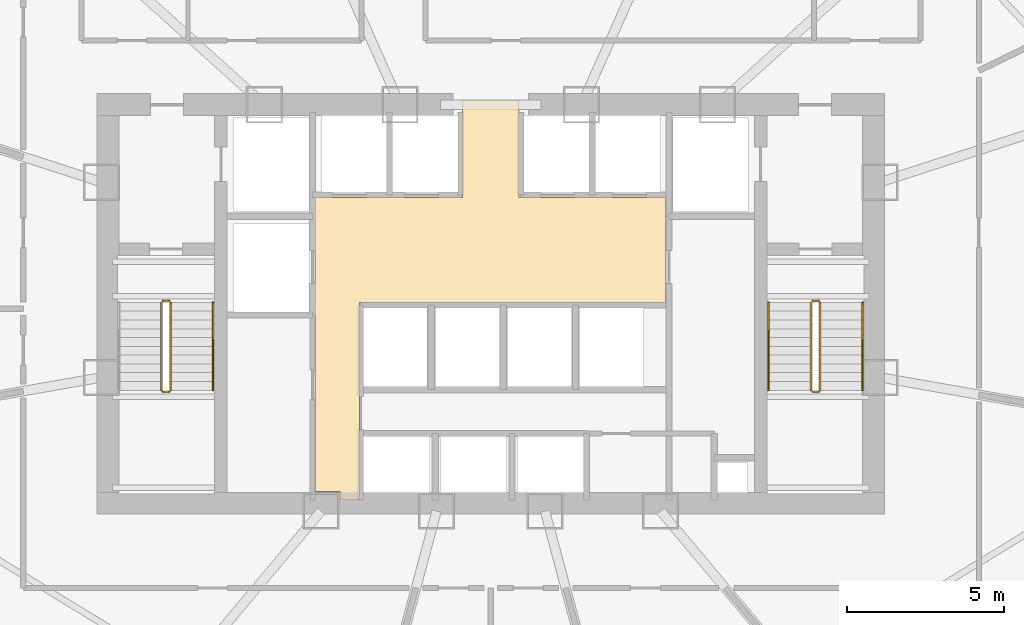
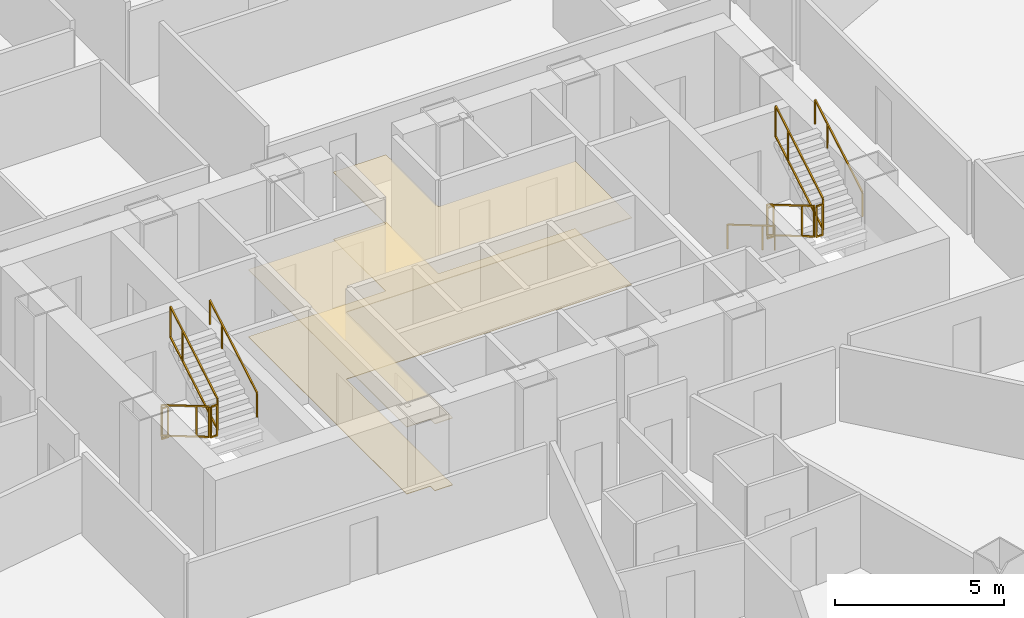
# One storey, part 36 of 38: 11 railings, 2 coverings.
"""IFC4 building model written with IfcOpenShell, lengths in metres."""

from ifc_helpers import new_model, si_unit, direction, frame, origin, origin_2d, place, context, subcontext, project, spatial, polyline, rectangle, outline, extrude, material, layer, layer_set, type_object, element, save


model = new_model("IFC4")

# Units and contexts
model_context = context("Model", 3, precision=1e-05, world=origin(), true_north=direction((0.0, 1.0)))
body_context = subcontext(model_context, "Body", "Model", "MODEL_VIEW")
ifc_project = project(units=[si_unit("LENGTHUNIT", "METRE"), si_unit("AREAUNIT", "SQUARE_METRE"), si_unit("VOLUMEUNIT", "CUBIC_METRE"), si_unit("PLANEANGLEUNIT", "RADIAN"), si_unit("MASSUNIT", "GRAM", prefix="KILO"), si_unit("THERMODYNAMICTEMPERATUREUNIT", "KELVIN"), si_unit("POWERUNIT", "WATT")], contexts=[model_context])

# Site, building, storey
site_placement = place(None, origin())
site = spatial("IfcSite", under=ifc_project, at=site_placement, CompositionType="ELEMENT")
building_placement = place(site_placement, origin())
building = spatial("IfcBuilding", under=site, at=building_placement, Name="Yunzhuo Pagoda Commons", CompositionType="ELEMENT")
storey_placement = place(building_placement, frame((0.0, 0.0, 37.659912109375)))
storey = spatial("IfcBuildingStorey", under=building, at=storey_placement, Name="L09", CompositionType="ELEMENT", Elevation=37.659912109375)

# Coverings
ifc_material_1 = material(Name="Mineral fibre acoustic ceiling board")
ifc_layer_1 = layer(ifc_material_1, 0.02490234375)
ifc_layer_set_1 = layer_set([ifc_layer_1], Name="Mineral fibre acoustic ceiling board")
covering_type_1 = type_object("IfcCoveringType", Name="COV-CL1 Ceiling 25", PredefinedType="CEILING", material=ifc_layer_set_1)
covering_1_placement = place(storey_placement, frame((0.0, 0.0, 2.420166015625)))
element("IfcCovering", 1, at=covering_1_placement, inside=storey, type_object=covering_type_1, Name="L09 lift lobby acoustic ceiling", PredefinedType="CEILING", context=body_context, shape_type="SweptSolid", body=[
    extrude(outline(polyline([(43.207763671875, 27.85009765625), (43.201904296875, 27.864013671875), (43.187744140625, 27.8701171875), (42.39990234375, 27.8701171875), (42.39990234375, 33.89990234375), (42.39990234375, 37.25), (47.10009765625, 37.25), (47.10009765625, 40.35009765625), (48.89990234375, 40.35009765625), (48.89990234375, 37.25), (53.580078125, 37.25), (53.580078125, 33.89990234375), (43.820068359375, 33.89990234375), (43.820068359375, 27.60009765625), (43.207763671875, 27.60009765625), (43.207763671875, 27.85009765625)])), origin(), (0.0, 0.0, 1.0), 0.02490234375),
])
ifc_material_2 = material(Name="Porcelain ceramic floor tile")
ifc_layer_2 = layer(ifc_material_2, 0.02001953125)
ifc_layer_set_2 = layer_set([ifc_layer_2], Name="Porcelain ceramic floor tile")
covering_type_2 = type_object("IfcCoveringType", Name="COV-FL1 Flooring 20", PredefinedType="FLOORING", material=ifc_layer_set_2)
covering_2_placement = place(storey_placement, origin())
element("IfcCovering", 2, at=covering_2_placement, inside=storey, type_object=covering_type_2, Name="L09 lift lobby flooring", PredefinedType="FLOORING", context=body_context, shape_type="SweptSolid", body=[
    extrude(outline(polyline([(43.207763671875, 27.85009765625), (43.201904296875, 27.864013671875), (43.187744140625, 27.8701171875), (42.39990234375, 27.8701171875), (42.39990234375, 33.89990234375), (42.39990234375, 37.25), (47.10009765625, 37.25), (47.10009765625, 40.35009765625), (48.89990234375, 40.35009765625), (48.89990234375, 37.25), (53.580078125, 37.25), (53.580078125, 33.89990234375), (43.820068359375, 33.89990234375), (43.820068359375, 27.60009765625), (43.207763671875, 27.60009765625), (43.207763671875, 27.85009765625)])), origin(), (0.0, 0.0, 1.0), 0.02001953125),
])

# Railings
ifc_material_3 = material(Name="Anodized aluminium 6063-T6", Category="aluminium")
railing_type_1 = type_object("IfcRailingType", Name="GR-ST1 Stair Well Guardrail 1150", PredefinedType="GUARDRAIL", material=ifc_material_3)
railing_1_placement = place(storey_placement, frame((37.5, 33.89990234375, 0.1650390625)))
element("IfcRailing", 3, at=railing_1_placement, inside=storey, type_object=railing_type_1, Name="L09 ST1 stair guard 1", PredefinedType="GUARDRAIL", context=body_context, shape_type="SweptSolid", body=[
    extrude(rectangle(XDim=0.048095703125, YDim=0.048095703125, at=origin_2d()), frame((0.0, 0.0, 1.1259765625), z_axis=(0.0, -0.861503254194, 0.507752048753), x_axis=(1.0, 0.0, 0.0)), (0.0, 0.0, 1.0), 3.25),
    extrude(rectangle(XDim=0.048095703125, YDim=0.048095703125, at=origin_2d()), frame((0.0, 0.0, 0.02392578125), z_axis=(0.0, -0.861503254194, 0.507752048753), x_axis=(1.0, 0.0, 0.0)), (0.0, 0.0, 1.0), 3.25),
    extrude(rectangle(XDim=0.0419921875, YDim=0.0419921875, at=origin_2d()), origin(), (0.0, 0.0, 1.0), 1.101806640625),
    extrude(rectangle(XDim=0.0419921875, YDim=0.0419921875, at=origin_2d()), frame((0.0, -2.067626953125, 1.218505859375)), (0.0, 0.0, 1.0), 1.101806640625),
    extrude(rectangle(XDim=0.0419921875, YDim=0.0419921875, at=origin_2d()), frame((0.0, -2.7998046875, 1.650146484375)), (0.0, 0.0, 1.0), 1.101806640625),
])
railing_2_placement = place(storey_placement, frame((37.550048828125, 31.050048828125, 1.815185546875)))
element("IfcRailing", 4, at=railing_2_placement, inside=storey, type_object=railing_type_1, Name="L09 ST1 stair guard 2", PredefinedType="GUARDRAIL", context=body_context, shape_type="SweptSolid", body=[
    extrude(rectangle(XDim=0.048095703125, YDim=0.048095703125, at=origin_2d()), frame((0.0, 0.0, 1.1259765625), z_axis=(1.0, 0.0, 0.0), x_axis=(0.0, 1.0, 0.0)), (0.0, 0.0, 1.0), 0.199951171875),
    extrude(rectangle(XDim=0.048095703125, YDim=0.048095703125, at=origin_2d()), frame((0.0, 0.0, 0.02392578125), z_axis=(1.0, 0.0, 0.0), x_axis=(0.0, 1.0, 0.0)), (0.0, 0.0, 1.0), 0.199951171875),
    extrude(rectangle(XDim=0.0419921875, YDim=0.0419921875, at=origin_2d()), origin(), (0.0, 0.0, 1.0), 1.101806640625),
    extrude(rectangle(XDim=0.0419921875, YDim=0.0419921875, at=origin_2d()), frame((0.199951171875, 0.0, 0.0)), (0.0, 0.0, 1.0), 1.101806640625),
])
railing_3_placement = place(storey_placement, frame((37.800048828125, 31.10009765625, 1.97998046875)))
element("IfcRailing", 5, at=railing_3_placement, inside=storey, type_object=railing_type_1, Name="L09 ST1 stair guard 3", PredefinedType="GUARDRAIL", context=body_context, shape_type="SweptSolid", body=[
    extrude(rectangle(XDim=0.048095703125, YDim=0.048095703125, at=origin_2d()), frame((0.0, 0.0, 1.1259765625), z_axis=(0.0, 0.861503254194, 0.507752048753), x_axis=(-1.0, 0.0, 0.0)), (0.0, 0.0, 1.0), 3.25),
    extrude(rectangle(XDim=0.048095703125, YDim=0.048095703125, at=origin_2d()), frame((0.0, 0.0, 0.02392578125), z_axis=(0.0, 0.861503254194, 0.507752048753), x_axis=(-1.0, 0.0, 0.0)), (0.0, 0.0, 1.0), 3.25),
    extrude(rectangle(XDim=0.0419921875, YDim=0.0419921875, at=origin_2d()), origin(), (0.0, 0.0, 1.0), 1.101806640625),
    extrude(rectangle(XDim=0.0419921875, YDim=0.0419921875, at=origin_2d()), frame((0.0, 2.067626953125, 1.218505859375)), (0.0, 0.0, 1.0), 1.101806640625),
    extrude(rectangle(XDim=0.0419921875, YDim=0.0419921875, at=origin_2d()), frame((0.0, 2.7998046875, 1.650146484375)), (0.0, 0.0, 1.0), 1.101806640625),
])
railing_4_placement = place(storey_placement, frame((37.550048828125, 33.949951171875, 0.0)))
element("IfcRailing", 6, at=railing_4_placement, inside=storey, type_object=railing_type_1, Name="L09 ST1 stair guard 4", PredefinedType="GUARDRAIL", context=body_context, shape_type="SweptSolid", body=[
    extrude(rectangle(XDim=0.048095703125, YDim=0.048095703125, at=origin_2d()), frame((0.0, 0.0, 1.1259765625), z_axis=(1.0, 0.0, 0.0), x_axis=(0.0, 1.0, 0.0)), (0.0, 0.0, 1.0), 0.199951171875),
    extrude(rectangle(XDim=0.048095703125, YDim=0.048095703125, at=origin_2d()), frame((0.0, 0.0, 0.02392578125), z_axis=(1.0, 0.0, 0.0), x_axis=(0.0, 1.0, 0.0)), (0.0, 0.0, 1.0), 0.199951171875),
    extrude(rectangle(XDim=0.0419921875, YDim=0.0419921875, at=origin_2d()), origin(), (0.0, 0.0, 1.0), 1.101806640625),
    extrude(rectangle(XDim=0.0419921875, YDim=0.0419921875, at=origin_2d()), frame((0.199951171875, 0.0, 0.0)), (0.0, 0.0, 1.0), 1.101806640625),
])
railing_type_2 = type_object("IfcRailingType", Name="GR-ST2 Stair Well Guardrail 1160", PredefinedType="GUARDRAIL", material=ifc_material_3)
railing_5_placement = place(storey_placement, frame((58.199951171875, 33.89990234375, 0.1650390625)))
element("IfcRailing", 7, at=railing_5_placement, inside=storey, type_object=railing_type_2, Name="L09 ST2 stair guard 1", PredefinedType="GUARDRAIL", context=body_context, shape_type="SweptSolid", body=[
    extrude(rectangle(XDim=0.048095703125, YDim=0.048095703125, at=origin_2d()), frame((0.0, 0.0, 1.1259765625), z_axis=(0.0, -0.861503254194, 0.507752048753), x_axis=(1.0, 0.0, 0.0)), (0.0, 0.0, 1.0), 3.25),
    extrude(rectangle(XDim=0.048095703125, YDim=0.048095703125, at=origin_2d()), frame((0.0, 0.0, 0.02392578125), z_axis=(0.0, -0.861503254194, 0.507752048753), x_axis=(1.0, 0.0, 0.0)), (0.0, 0.0, 1.0), 3.25),
    extrude(rectangle(XDim=0.0419921875, YDim=0.0419921875, at=origin_2d()), origin(), (0.0, 0.0, 1.0), 1.101806640625),
    extrude(rectangle(XDim=0.0419921875, YDim=0.0419921875, at=origin_2d()), frame((0.0, -2.067626953125, 1.218505859375)), (0.0, 0.0, 1.0), 1.101806640625),
    extrude(rectangle(XDim=0.0419921875, YDim=0.0419921875, at=origin_2d()), frame((0.0, -2.7998046875, 1.650146484375)), (0.0, 0.0, 1.0), 1.101806640625),
])
railing_6_placement = place(storey_placement, frame((58.25, 31.050048828125, 1.815185546875)))
element("IfcRailing", 8, at=railing_6_placement, inside=storey, type_object=railing_type_2, Name="L09 ST2 stair guard 2", PredefinedType="GUARDRAIL", context=body_context, shape_type="SweptSolid", body=[
    extrude(rectangle(XDim=0.048095703125, YDim=0.048095703125, at=origin_2d()), frame((0.0, 0.0, 1.1259765625), z_axis=(1.0, 0.0, 0.0), x_axis=(0.0, 1.0, 0.0)), (0.0, 0.0, 1.0), 0.199951171875),
    extrude(rectangle(XDim=0.048095703125, YDim=0.048095703125, at=origin_2d()), frame((0.0, 0.0, 0.02392578125), z_axis=(1.0, 0.0, 0.0), x_axis=(0.0, 1.0, 0.0)), (0.0, 0.0, 1.0), 0.199951171875),
    extrude(rectangle(XDim=0.0419921875, YDim=0.0419921875, at=origin_2d()), origin(), (0.0, 0.0, 1.0), 1.101806640625),
    extrude(rectangle(XDim=0.0419921875, YDim=0.0419921875, at=origin_2d()), frame((0.199951171875, 0.0, 0.0)), (0.0, 0.0, 1.0), 1.101806640625),
])
railing_7_placement = place(storey_placement, frame((58.5, 31.10009765625, 1.97998046875)))
element("IfcRailing", 9, at=railing_7_placement, inside=storey, type_object=railing_type_2, Name="L09 ST2 stair guard 3", PredefinedType="GUARDRAIL", context=body_context, shape_type="SweptSolid", body=[
    extrude(rectangle(XDim=0.048095703125, YDim=0.048095703125, at=origin_2d()), frame((0.0, 0.0, 1.1259765625), z_axis=(0.0, 0.861503254194, 0.507752048753), x_axis=(-1.0, 0.0, 0.0)), (0.0, 0.0, 1.0), 3.25),
    extrude(rectangle(XDim=0.048095703125, YDim=0.048095703125, at=origin_2d()), frame((0.0, 0.0, 0.02392578125), z_axis=(0.0, 0.861503254194, 0.507752048753), x_axis=(-1.0, 0.0, 0.0)), (0.0, 0.0, 1.0), 3.25),
    extrude(rectangle(XDim=0.0419921875, YDim=0.0419921875, at=origin_2d()), origin(), (0.0, 0.0, 1.0), 1.101806640625),
    extrude(rectangle(XDim=0.0419921875, YDim=0.0419921875, at=origin_2d()), frame((0.0, 2.067626953125, 1.218505859375)), (0.0, 0.0, 1.0), 1.101806640625),
    extrude(rectangle(XDim=0.0419921875, YDim=0.0419921875, at=origin_2d()), frame((0.0, 2.7998046875, 1.650146484375)), (0.0, 0.0, 1.0), 1.101806640625),
])
railing_8_placement = place(storey_placement, frame((58.25, 33.949951171875, 0.0)))
element("IfcRailing", 10, at=railing_8_placement, inside=storey, type_object=railing_type_2, Name="L09 ST2 stair guard 4", PredefinedType="GUARDRAIL", context=body_context, shape_type="SweptSolid", body=[
    extrude(rectangle(XDim=0.048095703125, YDim=0.048095703125, at=origin_2d()), frame((0.0, 0.0, 1.1259765625), z_axis=(1.0, 0.0, 0.0), x_axis=(0.0, 1.0, 0.0)), (0.0, 0.0, 1.0), 0.199951171875),
    extrude(rectangle(XDim=0.048095703125, YDim=0.048095703125, at=origin_2d()), frame((0.0, 0.0, 0.02392578125), z_axis=(1.0, 0.0, 0.0), x_axis=(0.0, 1.0, 0.0)), (0.0, 0.0, 1.0), 0.199951171875),
    extrude(rectangle(XDim=0.0419921875, YDim=0.0419921875, at=origin_2d()), origin(), (0.0, 0.0, 1.0), 1.101806640625),
    extrude(rectangle(XDim=0.0419921875, YDim=0.0419921875, at=origin_2d()), frame((0.199951171875, 0.0, 0.0)), (0.0, 0.0, 1.0), 1.101806640625),
])
railing_type_3 = type_object("IfcRailingType", Name="HR-ST1 Stair Handrail 900", PredefinedType="HANDRAIL", material=ifc_material_3)
railing_9_placement = place(storey_placement, frame((39.14990234375, 31.10009765625, 1.97998046875)))
element("IfcRailing", 11, at=railing_9_placement, inside=storey, type_object=railing_type_3, Name="L09 ST1 stair handrail 2", PredefinedType="HANDRAIL", context=body_context, shape_type="SweptSolid", body=[
    extrude(rectangle(XDim=0.048095703125, YDim=0.048095703125, at=origin_2d()), frame((0.0, 0.0, 0.8759765625), z_axis=(0.0, 0.861503254194, 0.507752048753), x_axis=(-1.0, 0.0, 0.0)), (0.0, 0.0, 1.0), 3.25),
    extrude(rectangle(XDim=0.0419921875, YDim=0.0419921875, at=origin_2d()), origin(), (0.0, 0.0, 1.0), 0.851806640625),
    extrude(rectangle(XDim=0.0419921875, YDim=0.0419921875, at=origin_2d()), frame((0.0, 2.067626953125, 1.218505859375)), (0.0, 0.0, 1.0), 0.851806640625),
    extrude(rectangle(XDim=0.0419921875, YDim=0.0419921875, at=origin_2d()), frame((0.0, 2.7998046875, 1.650146484375)), (0.0, 0.0, 1.0), 0.851806640625),
])
railing_type_4 = type_object("IfcRailingType", Name="HR-ST2 Stair Handrail 900", PredefinedType="HANDRAIL", material=ifc_material_3)
railing_10_placement = place(storey_placement, frame((56.85009765625, 33.89990234375, 0.1650390625)))
element("IfcRailing", 12, at=railing_10_placement, inside=storey, type_object=railing_type_4, Name="L09 ST2 stair handrail 1", PredefinedType="HANDRAIL", context=body_context, shape_type="SweptSolid", body=[
    extrude(rectangle(XDim=0.048095703125, YDim=0.048095703125, at=origin_2d()), frame((0.0, 0.0, 0.8759765625), z_axis=(0.0, -0.861503254194, 0.507752048753), x_axis=(1.0, 0.0, 0.0)), (0.0, 0.0, 1.0), 3.25),
    extrude(rectangle(XDim=0.0419921875, YDim=0.0419921875, at=origin_2d()), origin(), (0.0, 0.0, 1.0), 0.851806640625),
    extrude(rectangle(XDim=0.0419921875, YDim=0.0419921875, at=origin_2d()), frame((0.0, -2.067626953125, 1.218505859375)), (0.0, 0.0, 1.0), 0.851806640625),
    extrude(rectangle(XDim=0.0419921875, YDim=0.0419921875, at=origin_2d()), frame((0.0, -2.7998046875, 1.650146484375)), (0.0, 0.0, 1.0), 0.851806640625),
])
railing_11_placement = place(storey_placement, frame((59.85009765625, 31.10009765625, 1.97998046875)))
element("IfcRailing", 13, at=railing_11_placement, inside=storey, type_object=railing_type_4, Name="L09 ST2 stair handrail 2", PredefinedType="HANDRAIL", context=body_context, shape_type="SweptSolid", body=[
    extrude(rectangle(XDim=0.048095703125, YDim=0.048095703125, at=origin_2d()), frame((0.0, 0.0, 0.8759765625), z_axis=(0.0, 0.861503254194, 0.507752048753), x_axis=(-1.0, 0.0, 0.0)), (0.0, 0.0, 1.0), 3.25),
    extrude(rectangle(XDim=0.0419921875, YDim=0.0419921875, at=origin_2d()), origin(), (0.0, 0.0, 1.0), 0.851806640625),
    extrude(rectangle(XDim=0.0419921875, YDim=0.0419921875, at=origin_2d()), frame((0.0, 2.067626953125, 1.218505859375)), (0.0, 0.0, 1.0), 0.851806640625),
    extrude(rectangle(XDim=0.0419921875, YDim=0.0419921875, at=origin_2d()), frame((0.0, 2.7998046875, 1.650146484375)), (0.0, 0.0, 1.0), 0.851806640625),
])

save(model, "model.ifc")
